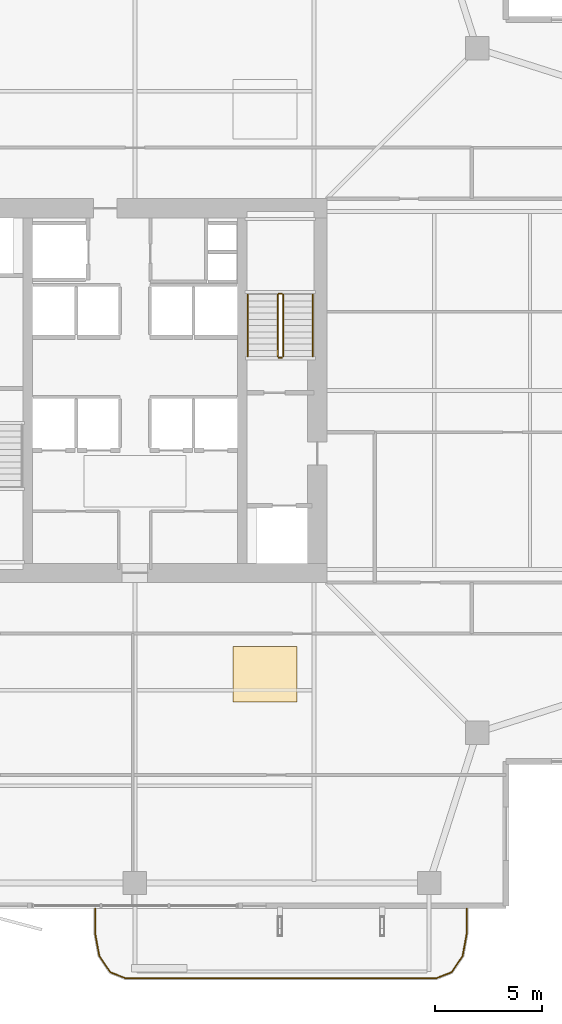
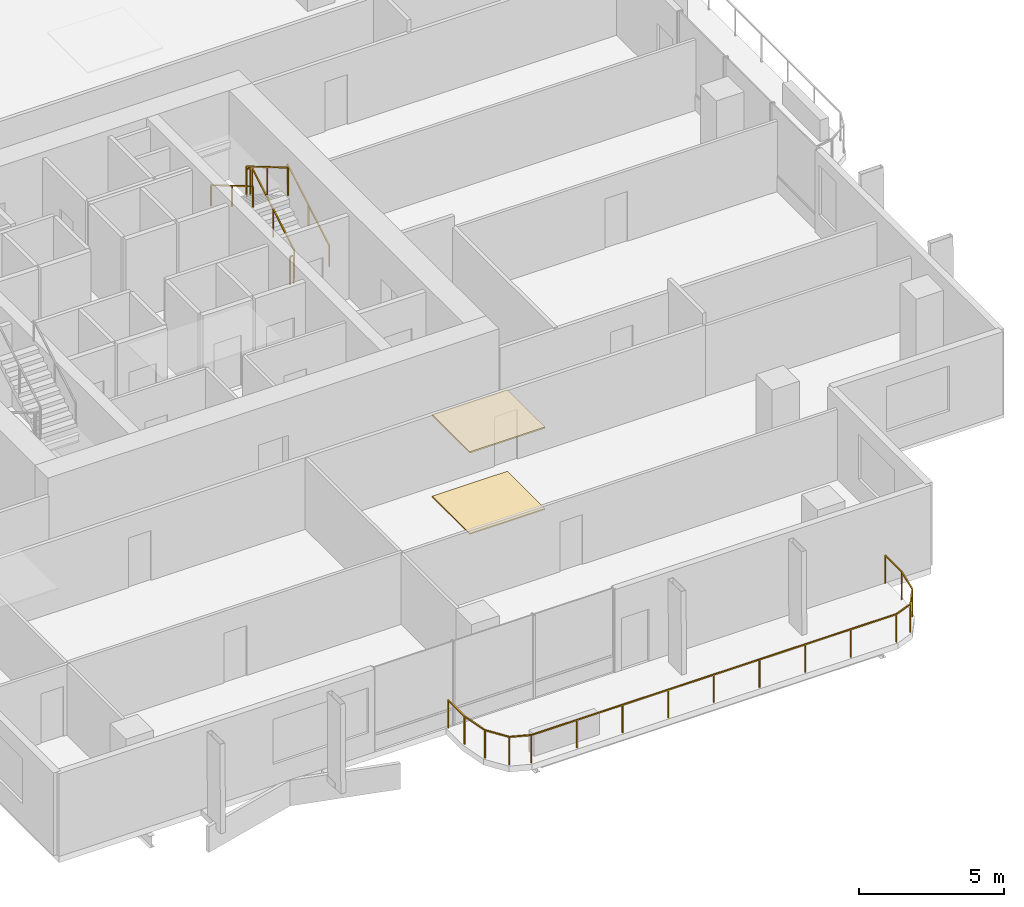
# One storey, part 23 of 24: 7 railings, 2 coverings.
"""IFC4 building model written with IfcOpenShell, lengths in metres."""

from ifc_helpers import new_model, si_unit, direction, frame, origin, origin_2d, place, context, subcontext, project, spatial, polyline, rectangle, outline, extrude, material, layer, layer_set, type_object, element, save


model = new_model("IFC4")

# Units and contexts
model_context = context("Model", 3, precision=1e-05, world=origin(), true_north=direction((0.0, 1.0)))
body_context = subcontext(model_context, "Body", "Model", "MODEL_VIEW")
ifc_project = project(units=[si_unit("LENGTHUNIT", "METRE"), si_unit("AREAUNIT", "SQUARE_METRE"), si_unit("VOLUMEUNIT", "CUBIC_METRE"), si_unit("PLANEANGLEUNIT", "RADIAN"), si_unit("MASSUNIT", "GRAM", prefix="KILO")], contexts=[model_context])

# Site, building, storey
site_placement = place(None, origin())
site = spatial("IfcSite", under=ifc_project, at=site_placement, CompositionType="ELEMENT")
building_placement = place(site_placement, origin())
building = spatial("IfcBuilding", under=site, at=building_placement, Name="Belovzor Exchange Tower", CompositionType="ELEMENT")
storey_placement = place(building_placement, frame((0.0, 0.0, 179.550048828125)))
storey = spatial("IfcBuildingStorey", under=building, at=storey_placement, Name="L44", CompositionType="ELEMENT", Elevation=179.550048828125)

# Railings
ifc_material_1 = material(Name="Stainless Steel Grade 304", Category="steel")
railing_type_1 = type_object("IfcRailingType", Name="Brushed Stainless Steel Stair Handrail 900", PredefinedType="HANDRAIL", material=ifc_material_1)
railing_1_placement = place(storey_placement, frame((37.14990234375, 30.39990234375, 0.17041015625)))
element("IfcRailing", 1, at=railing_1_placement, inside=storey, type_object=railing_type_1, Name="L44 ST-2 stair handrail 1", PredefinedType="HANDRAIL", context=body_context, shape_type="SweptSolid", body=[
    extrude(rectangle(XDim=0.048095703125, YDim=0.048095703125, at=origin_2d()), frame((0.0, 0.0, 0.8759765625), z_axis=(0.0, 0.862113265706, 0.506715617574), x_axis=(-1.0, 0.0, 0.0)), (0.0, 0.0, 1.0), 3.364013671875),
    extrude(rectangle(XDim=0.0419921875, YDim=0.0419921875, at=origin_2d()), origin(), (0.0, 0.0, 1.0), 0.851806640625),
    extrude(rectangle(XDim=0.0419921875, YDim=0.0419921875, at=origin_2d()), frame((0.0, 1.4501953125, 0.852294921875)), (0.0, 0.0, 1.0), 0.851806640625),
    extrude(rectangle(XDim=0.0419921875, YDim=0.0419921875, at=origin_2d()), frame((0.0, 2.900146484375, 1.70458984375)), (0.0, 0.0, 1.0), 0.851806640625),
])
railing_2_placement = place(storey_placement, frame((34.10009765625, 33.300048828125, 2.04541015625)))
element("IfcRailing", 2, at=railing_2_placement, inside=storey, type_object=railing_type_1, Name="L44 ST-2 stair handrail 2", PredefinedType="HANDRAIL", context=body_context, shape_type="SweptSolid", body=[
    extrude(rectangle(XDim=0.048095703125, YDim=0.048095703125, at=origin_2d()), frame((0.0, 0.0, 0.8759765625), z_axis=(0.0, -0.862113265706, 0.506715617574), x_axis=(1.0, 0.0, 0.0)), (0.0, 0.0, 1.0), 3.364013671875),
    extrude(rectangle(XDim=0.0419921875, YDim=0.0419921875, at=origin_2d()), origin(), (0.0, 0.0, 1.0), 0.851806640625),
    extrude(rectangle(XDim=0.0419921875, YDim=0.0419921875, at=origin_2d()), frame((0.0, -1.4501953125, 0.852294921875)), (0.0, 0.0, 1.0), 0.851806640625),
    extrude(rectangle(XDim=0.0419921875, YDim=0.0419921875, at=origin_2d()), frame((0.0, -2.900146484375, 1.70458984375)), (0.0, 0.0, 1.0), 0.851806640625),
])
ifc_material_2 = material(Name="Stainless Steel and Laminated Safety Glass", Category="steel")
railing_type_2 = type_object("IfcRailingType", Name="Laminated Glass & Stainless Steel Balcony Balustrade 1200", PredefinedType="BALUSTRADE", material=ifc_material_2)
railing_3_placement = place(storey_placement, frame((26.929931640625, 4.489990234375, 0.0)))
element("IfcRailing", 3, at=railing_3_placement, inside=storey, type_object=railing_type_2, Name="GR-1 Balcony Balustrade L44 South", PredefinedType="BALUSTRADE", context=body_context, shape_type="SweptSolid", body=[
    extrude(rectangle(XDim=0.048095703125, YDim=0.048095703125, at=origin_2d()), frame((0.0, 0.0, 1.17578125), z_axis=(0.0, -1.0, 0.0), x_axis=(1.0, 0.0, 0.0)), (0.0, 0.0, 1.0), 1.133056640625),
    extrude(rectangle(XDim=0.048095703125, YDim=0.048095703125, at=origin_2d()), frame((0.0, -1.133056640625, 1.17578125), z_axis=(0.180122719713, -0.983644145941, 0.0), x_axis=(0.983644145941, 0.180122719713, 0.0)), (0.0, 0.0, 1.0), 1.09375),
    extrude(rectangle(XDim=0.048095703125, YDim=0.048095703125, at=origin_2d()), frame((0.197021484375, -2.208984375, 1.17578125), z_axis=(0.56294695933, -0.826493025367, 0.0), x_axis=(0.826493025367, 0.56294695933, 0.0)), (0.0, 0.0, 1.0), 0.932861328125),
    extrude(rectangle(XDim=0.048095703125, YDim=0.048095703125, at=origin_2d()), frame((0.72216796875, -2.97998046875, 1.17578125), z_axis=(0.930766990125, -0.365612923861, 0.0), x_axis=(0.365612923861, 0.930766990125, 0.0)), (0.0, 0.0, 1.0), 0.765869140625),
    extrude(rectangle(XDim=0.048095703125, YDim=0.048095703125, at=origin_2d()), frame((1.43505859375, -3.260009765625, 1.17578125), z_axis=(1.0, 0.0, 0.0), x_axis=(0.0, 1.0, 0.0)), (0.0, 0.0, 1.0), 14.570068359375),
    extrude(rectangle(XDim=0.048095703125, YDim=0.048095703125, at=origin_2d()), frame((16.005126953125, -3.260009765625, 1.17578125), z_axis=(0.930766990125, 0.365612923861, 0.0), x_axis=(-0.365612923861, 0.930766990125, 0.0)), (0.0, 0.0, 1.0), 0.765869140625),
    extrude(rectangle(XDim=0.048095703125, YDim=0.048095703125, at=origin_2d()), frame((16.718017578125, -2.97998046875, 1.17578125), z_axis=(0.56294695933, 0.826493025367, 0.0), x_axis=(-0.826493025367, 0.56294695933, 0.0)), (0.0, 0.0, 1.0), 0.932861328125),
    extrude(rectangle(XDim=0.048095703125, YDim=0.048095703125, at=origin_2d()), frame((17.2431640625, -2.208984375, 1.17578125), z_axis=(0.180122719713, 0.983644145941, 0.0), x_axis=(-0.983644145941, 0.180122719713, 0.0)), (0.0, 0.0, 1.0), 1.09375),
    extrude(rectangle(XDim=0.048095703125, YDim=0.048095703125, at=origin_2d()), frame((17.440185546875, -1.133056640625, 1.17578125), z_axis=(0.0, 1.0, 0.0), x_axis=(-1.0, 0.0, 0.0)), (0.0, 0.0, 1.0), 1.133056640625),
    extrude(rectangle(XDim=0.0419921875, YDim=0.0419921875, at=origin_2d()), origin(), (0.0, 0.0, 1.0), 1.15185546875),
    extrude(rectangle(XDim=0.0419921875, YDim=0.0419921875, at=origin_2d()), frame((0.0, -1.133056640625, 0.0)), (0.0, 0.0, 1.0), 1.15185546875),
    extrude(rectangle(XDim=0.0419921875, YDim=0.0419921875, at=origin_2d()), frame((0.197021484375, -2.208984375, 0.0)), (0.0, 0.0, 1.0), 1.15185546875),
    extrude(rectangle(XDim=0.0419921875, YDim=0.0419921875, at=origin_2d()), frame((0.72216796875, -2.97998046875, 0.0)), (0.0, 0.0, 1.0), 1.15185546875),
    extrude(rectangle(XDim=0.0419921875, YDim=0.0419921875, at=origin_2d()), frame((1.43505859375, -3.260009765625, 0.0)), (0.0, 0.0, 1.0), 1.15185546875),
    extrude(rectangle(XDim=0.0419921875, YDim=0.0419921875, at=origin_2d()), frame((3.25634765625, -3.260009765625, 0.0)), (0.0, 0.0, 1.0), 1.15185546875),
    extrude(rectangle(XDim=0.0419921875, YDim=0.0419921875, at=origin_2d()), frame((5.07763671875, -3.260009765625, 0.0)), (0.0, 0.0, 1.0), 1.15185546875),
    extrude(rectangle(XDim=0.0419921875, YDim=0.0419921875, at=origin_2d()), frame((6.89892578125, -3.260009765625, 0.0)), (0.0, 0.0, 1.0), 1.15185546875),
    extrude(rectangle(XDim=0.0419921875, YDim=0.0419921875, at=origin_2d()), frame((8.72021484375, -3.260009765625, 0.0)), (0.0, 0.0, 1.0), 1.15185546875),
    extrude(rectangle(XDim=0.0419921875, YDim=0.0419921875, at=origin_2d()), frame((10.541259765625, -3.260009765625, 0.0)), (0.0, 0.0, 1.0), 1.15185546875),
    extrude(rectangle(XDim=0.0419921875, YDim=0.0419921875, at=origin_2d()), frame((12.362548828125, -3.260009765625, 0.0)), (0.0, 0.0, 1.0), 1.15185546875),
    extrude(rectangle(XDim=0.0419921875, YDim=0.0419921875, at=origin_2d()), frame((14.183837890625, -3.260009765625, 0.0)), (0.0, 0.0, 1.0), 1.15185546875),
    extrude(rectangle(XDim=0.0419921875, YDim=0.0419921875, at=origin_2d()), frame((16.005126953125, -3.260009765625, 0.0)), (0.0, 0.0, 1.0), 1.15185546875),
    extrude(rectangle(XDim=0.0419921875, YDim=0.0419921875, at=origin_2d()), frame((16.718017578125, -2.97998046875, 0.0)), (0.0, 0.0, 1.0), 1.15185546875),
    extrude(rectangle(XDim=0.0419921875, YDim=0.0419921875, at=origin_2d()), frame((17.2431640625, -2.208984375, 0.0)), (0.0, 0.0, 1.0), 1.15185546875),
    extrude(rectangle(XDim=0.0419921875, YDim=0.0419921875, at=origin_2d()), frame((17.440185546875, -1.133056640625, 0.0)), (0.0, 0.0, 1.0), 1.15185546875),
    extrude(rectangle(XDim=0.0419921875, YDim=0.0419921875, at=origin_2d()), frame((17.440185546875, 0.0, 0.0)), (0.0, 0.0, 1.0), 1.15185546875),
])
ifc_material_3 = material(Name="Steel S355", Category="steel")
railing_type_3 = type_object("IfcRailingType", Name="Painted Steel Stairwell Guardrail 1200", PredefinedType="GUARDRAIL", material=ifc_material_3)
railing_4_placement = place(storey_placement, frame((35.75, 30.39990234375, 0.17041015625)))
element("IfcRailing", 4, at=railing_4_placement, inside=storey, type_object=railing_type_3, Name="L44 ST-2 stair guard 1", PredefinedType="GUARDRAIL", context=body_context, shape_type="SweptSolid", body=[
    extrude(rectangle(XDim=0.048095703125, YDim=0.048095703125, at=origin_2d()), frame((0.0, 0.0, 1.17578125), z_axis=(0.0, 0.862113265706, 0.506715617574), x_axis=(-1.0, 0.0, 0.0)), (0.0, 0.0, 1.0), 3.364013671875),
    extrude(rectangle(XDim=0.0419921875, YDim=0.0419921875, at=origin_2d()), origin(), (0.0, 0.0, 1.0), 1.15185546875),
    extrude(rectangle(XDim=0.0419921875, YDim=0.0419921875, at=origin_2d()), frame((0.0, 1.4501953125, 0.852294921875)), (0.0, 0.0, 1.0), 1.15185546875),
    extrude(rectangle(XDim=0.0419921875, YDim=0.0419921875, at=origin_2d()), frame((0.0, 2.900146484375, 1.70458984375)), (0.0, 0.0, 1.0), 1.15185546875),
])
railing_5_placement = place(storey_placement, frame((35.699951171875, 33.35009765625, 1.875)))
element("IfcRailing", 5, at=railing_5_placement, inside=storey, type_object=railing_type_3, Name="L44 ST-2 stair guard 2", PredefinedType="GUARDRAIL", context=body_context, shape_type="SweptSolid", body=[
    extrude(rectangle(XDim=0.048095703125, YDim=0.048095703125, at=origin_2d()), frame((0.0, 0.0, 1.17578125), z_axis=(-1.0, 0.0, 0.0), x_axis=(0.0, -1.0, 0.0)), (0.0, 0.0, 1.0), 0.14990234375),
    extrude(rectangle(XDim=0.0419921875, YDim=0.0419921875, at=origin_2d()), origin(), (0.0, 0.0, 1.0), 1.15185546875),
    extrude(rectangle(XDim=0.0419921875, YDim=0.0419921875, at=origin_2d()), frame((-0.14990234375, 0.0, 0.0)), (0.0, 0.0, 1.0), 1.15185546875),
])
railing_6_placement = place(storey_placement, frame((35.5, 33.300048828125, 2.04541015625)))
element("IfcRailing", 6, at=railing_6_placement, inside=storey, type_object=railing_type_3, Name="L44 ST-2 stair guard 3", PredefinedType="GUARDRAIL", context=body_context, shape_type="SweptSolid", body=[
    extrude(rectangle(XDim=0.048095703125, YDim=0.048095703125, at=origin_2d()), frame((0.0, 0.0, 1.17578125), z_axis=(0.0, -0.862113265706, 0.506715617574), x_axis=(1.0, 0.0, 0.0)), (0.0, 0.0, 1.0), 3.364013671875),
    extrude(rectangle(XDim=0.0419921875, YDim=0.0419921875, at=origin_2d()), origin(), (0.0, 0.0, 1.0), 1.15185546875),
    extrude(rectangle(XDim=0.0419921875, YDim=0.0419921875, at=origin_2d()), frame((0.0, -1.4501953125, 0.852294921875)), (0.0, 0.0, 1.0), 1.15185546875),
    extrude(rectangle(XDim=0.0419921875, YDim=0.0419921875, at=origin_2d()), frame((0.0, -2.900146484375, 1.70458984375)), (0.0, 0.0, 1.0), 1.15185546875),
])
railing_7_placement = place(storey_placement, frame((35.699951171875, 30.35009765625, 0.0)))
element("IfcRailing", 7, at=railing_7_placement, inside=storey, type_object=railing_type_3, Name="L44 ST-2 stair guard 4", PredefinedType="GUARDRAIL", context=body_context, shape_type="SweptSolid", body=[
    extrude(rectangle(XDim=0.048095703125, YDim=0.048095703125, at=origin_2d()), frame((0.0, 0.0, 1.17578125), z_axis=(-1.0, 0.0, 0.0), x_axis=(0.0, -1.0, 0.0)), (0.0, 0.0, 1.0), 0.14990234375),
    extrude(rectangle(XDim=0.0419921875, YDim=0.0419921875, at=origin_2d()), origin(), (0.0, 0.0, 1.0), 1.15185546875),
    extrude(rectangle(XDim=0.0419921875, YDim=0.0419921875, at=origin_2d()), frame((-0.14990234375, 0.0, 0.0)), (0.0, 0.0, 1.0), 1.15185546875),
])

# Coverings
ifc_material_4 = material(Name="Perforated Powder-Coated Aluminium", Category="aluminium")
ifc_layer_1 = layer(ifc_material_4, 0.06005859375)
ifc_layer_set_1 = layer_set([ifc_layer_1], Name="Perforated Powder-Coated Aluminium")
covering_type_1 = type_object("IfcCoveringType", Name="Perforated Acoustic Metal Tile Suspended Ceiling 60", PredefinedType="CEILING", material=ifc_layer_set_1)
covering_1_placement = place(storey_placement, frame((0.0, 0.0, 3.43505859375)))
element("IfcCovering", 8, at=covering_1_placement, inside=storey, type_object=covering_type_1, Name="CLG-AC60 Suspended Ceiling CLG-L44-Z1", PredefinedType="CEILING", context=body_context, shape_type="SweptSolid", body=[
    extrude(outline(polyline([(33.39990234375, 14.199951171875), (36.39990234375, 14.199951171875), (36.39990234375, 16.800048828125), (33.39990234375, 16.800048828125), (33.39990234375, 14.199951171875)])), origin(), (0.0, 0.0, 1.0), 0.059814453125),
])
ifc_material_5 = material(Name="Polished Natural Granite Tile", Category="masonry")
ifc_layer_2 = layer(ifc_material_5, 0.050048828125)
ifc_layer_set_2 = layer_set([ifc_layer_2], Name="Polished Natural Granite Tile")
covering_type_2 = type_object("IfcCoveringType", Name="Polished Karelian Granite & Raised Access Floor Finish 50", PredefinedType="FLOORING", material=ifc_layer_set_2)
covering_2_placement = place(storey_placement, origin())
element("IfcCovering", 9, at=covering_2_placement, inside=storey, type_object=covering_type_2, Name="FLR-GR50 Floor Finish FLR-L44-Z1", PredefinedType="FLOORING", context=body_context, shape_type="SweptSolid", body=[
    extrude(outline(polyline([(33.39990234375, 14.199951171875), (36.39990234375, 14.199951171875), (36.39990234375, 16.800048828125), (33.39990234375, 16.800048828125), (33.39990234375, 14.199951171875)])), origin(), (0.0, 0.0, 1.0), 0.050048828125),
])

save(model, "model.ifc")
